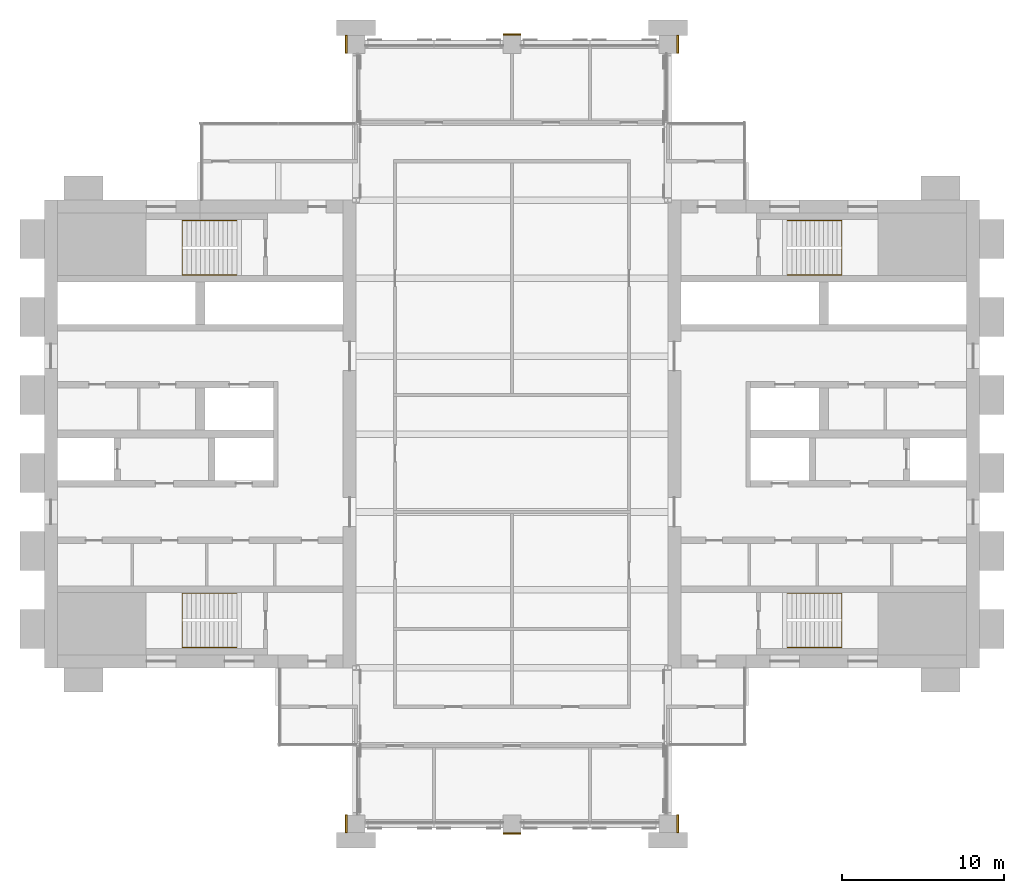
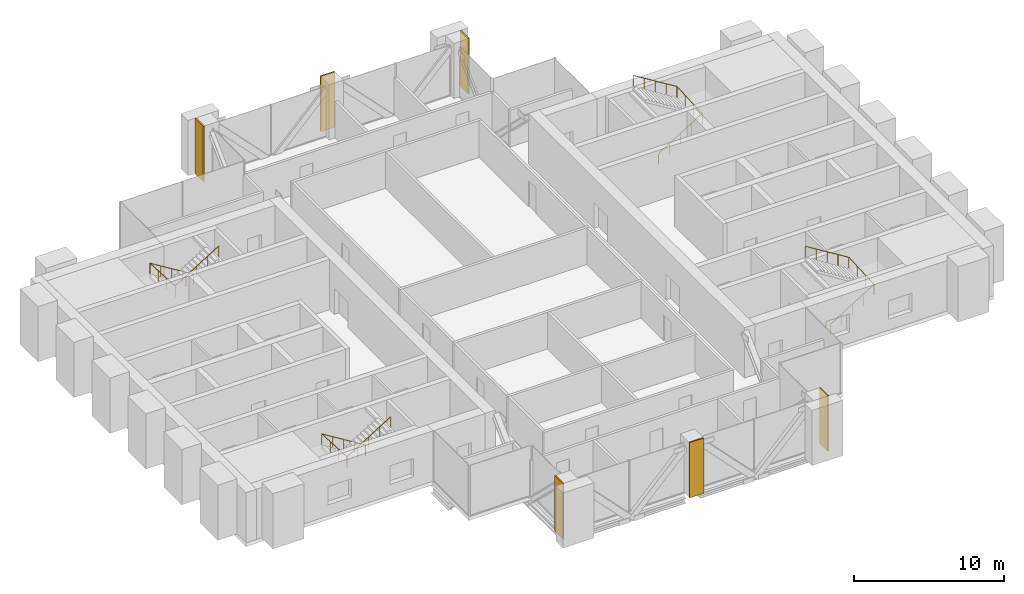
# One storey, part 13 of 13: 6 coverings, 4 railings.
"""IFC4 building model written with IfcOpenShell, lengths in metres."""

from ifc_helpers import new_model, si_unit, direction, frame, origin, origin_2d, place, context, subcontext, project, spatial, rectangle, circle, extrude, material, layer, layer_set, type_object, element, save


model = new_model("IFC4")

# Units and contexts
model_context = context("Model", 3, precision=1e-05, world=origin(), true_north=direction((0.0, 1.0)))
body_context = subcontext(model_context, "Body", "Model", "MODEL_VIEW")
ifc_project = project(units=[si_unit("LENGTHUNIT", "METRE"), si_unit("AREAUNIT", "SQUARE_METRE"), si_unit("VOLUMEUNIT", "CUBIC_METRE"), si_unit("PLANEANGLEUNIT", "RADIAN"), si_unit("MASSUNIT", "GRAM", prefix="KILO")], contexts=[model_context])

# Site, building, storey
site_placement = place(None, origin())
site = spatial("IfcSite", under=ifc_project, at=site_placement, CompositionType="ELEMENT")
building_placement = place(site_placement, origin())
building = spatial("IfcBuilding", under=site, at=building_placement, Name="Baori Bourse Tower", CompositionType="ELEMENT")
storey_placement = place(building_placement, frame((0.0, 0.0, 265.199951171875)))
storey = spatial("IfcBuildingStorey", under=building, at=storey_placement, Name="L59", CompositionType="ELEMENT", Elevation=265.199951171875)

# Railings
ifc_material_1 = material(Name="Powder-coated steel balustrade", Category="steel")
railing_type = type_object("IfcRailingType", Name="Core stair handrail", PredefinedType="HANDRAIL", material=ifc_material_1)
railing_1_placement = place(storey_placement, frame((11.85009765625, 14.199951171875, 0.173095703125)))
element("IfcRailing", 1, at=railing_1_placement, inside=storey, type_object=railing_type, Name="L59 ST1 stair handrail 1", PredefinedType="HANDRAIL", context=body_context, shape_type="SweptSolid", body=[
    extrude(circle(Radius=0.02392578125, at=origin_2d()), frame((0.0, 0.0, 0.8759765625), z_axis=(-0.850623216509, 0.0, 0.525775754039), x_axis=(0.0, -1.0, 0.0)), (0.0, 0.0, 1.0), 3.9501953125),
    extrude(circle(Radius=0.02392578125, at=origin_2d()), frame((-3.360107421875, 0.0, 2.95263671875), z_axis=(0.0, -0.998667637765, 0.051603771968), x_axis=(1.0, 0.0, 0.0)), (0.0, 0.0, 1.0), 3.354248046875),
    extrude(circle(Radius=0.02392578125, at=origin_2d()), frame((-3.360107421875, -3.349853515625, 3.1259765625), z_axis=(0.850623216509, 0.0, 0.525775754039), x_axis=(0.0, 1.0, 0.0)), (0.0, 0.0, 1.0), 3.9501953125),
    extrude(circle(Radius=0.02099609375, at=origin_2d()), origin(), (0.0, 0.0, 1.0), 0.851806640625),
    extrude(circle(Radius=0.02099609375, at=origin_2d()), frame((-0.840087890625, 0.0, 0.519287109375)), (0.0, 0.0, 1.0), 0.851806640625),
    extrude(circle(Radius=0.02099609375, at=origin_2d()), frame((-1.68017578125, 0.0, 1.03857421875)), (0.0, 0.0, 1.0), 0.851806640625),
    extrude(circle(Radius=0.02099609375, at=origin_2d()), frame((-2.52001953125, 0.0, 1.5576171875)), (0.0, 0.0, 1.0), 0.851806640625),
    extrude(circle(Radius=0.02099609375, at=origin_2d()), frame((-3.360107421875, 0.0, 2.076904296875)), (0.0, 0.0, 1.0), 0.851806640625),
    extrude(circle(Radius=0.02099609375, at=origin_2d()), frame((-3.360107421875, -1.11669921875, 2.134521484375)), (0.0, 0.0, 1.0), 0.851806640625),
    extrude(circle(Radius=0.02099609375, at=origin_2d()), frame((-3.360107421875, -2.233154296875, 2.1923828125)), (0.0, 0.0, 1.0), 0.851806640625),
    extrude(circle(Radius=0.02099609375, at=origin_2d()), frame((-3.360107421875, -3.349853515625, 2.25)), (0.0, 0.0, 1.0), 0.851806640625),
    extrude(circle(Radius=0.02099609375, at=origin_2d()), frame((-2.52001953125, -3.349853515625, 2.769287109375)), (0.0, 0.0, 1.0), 0.851806640625),
    extrude(circle(Radius=0.02099609375, at=origin_2d()), frame((-1.68017578125, -3.349853515625, 3.28857421875)), (0.0, 0.0, 1.0), 0.851806640625),
    extrude(circle(Radius=0.02099609375, at=origin_2d()), frame((-0.840087890625, -3.349853515625, 3.8076171875)), (0.0, 0.0, 1.0), 0.851806640625),
    extrude(circle(Radius=0.02099609375, at=origin_2d()), frame((0.0, -3.349853515625, 4.326904296875)), (0.0, 0.0, 1.0), 0.851806640625),
])
railing_2_placement = place(storey_placement, frame((11.85009765625, 37.14990234375, 0.173095703125)))
element("IfcRailing", 2, at=railing_2_placement, inside=storey, type_object=railing_type, Name="L59 ST2 stair handrail 1", PredefinedType="HANDRAIL", context=body_context, shape_type="SweptSolid", body=[
    extrude(circle(Radius=0.02392578125, at=origin_2d()), frame((0.0, 0.0, 0.8759765625), z_axis=(-0.850623216509, 0.0, 0.525775754039), x_axis=(0.0, -1.0, 0.0)), (0.0, 0.0, 1.0), 3.9501953125),
    extrude(circle(Radius=0.02392578125, at=origin_2d()), frame((-3.360107421875, 0.0, 2.95263671875), z_axis=(0.0, -0.998667637765, 0.051603771968), x_axis=(1.0, 0.0, 0.0)), (0.0, 0.0, 1.0), 3.354248046875),
    extrude(circle(Radius=0.02392578125, at=origin_2d()), frame((-3.360107421875, -3.349853515625, 3.1259765625), z_axis=(0.850623216509, 0.0, 0.525775754039), x_axis=(0.0, 1.0, 0.0)), (0.0, 0.0, 1.0), 3.9501953125),
    extrude(circle(Radius=0.02099609375, at=origin_2d()), origin(), (0.0, 0.0, 1.0), 0.851806640625),
    extrude(circle(Radius=0.02099609375, at=origin_2d()), frame((-0.840087890625, 0.0, 0.519287109375)), (0.0, 0.0, 1.0), 0.851806640625),
    extrude(circle(Radius=0.02099609375, at=origin_2d()), frame((-1.68017578125, 0.0, 1.03857421875)), (0.0, 0.0, 1.0), 0.851806640625),
    extrude(circle(Radius=0.02099609375, at=origin_2d()), frame((-2.52001953125, 0.0, 1.5576171875)), (0.0, 0.0, 1.0), 0.851806640625),
    extrude(circle(Radius=0.02099609375, at=origin_2d()), frame((-3.360107421875, 0.0, 2.076904296875)), (0.0, 0.0, 1.0), 0.851806640625),
    extrude(circle(Radius=0.02099609375, at=origin_2d()), frame((-3.360107421875, -1.11669921875, 2.134521484375)), (0.0, 0.0, 1.0), 0.851806640625),
    extrude(circle(Radius=0.02099609375, at=origin_2d()), frame((-3.360107421875, -2.233154296875, 2.1923828125)), (0.0, 0.0, 1.0), 0.851806640625),
    extrude(circle(Radius=0.02099609375, at=origin_2d()), frame((-3.360107421875, -3.349853515625, 2.25)), (0.0, 0.0, 1.0), 0.851806640625),
    extrude(circle(Radius=0.02099609375, at=origin_2d()), frame((-2.52001953125, -3.349853515625, 2.769287109375)), (0.0, 0.0, 1.0), 0.851806640625),
    extrude(circle(Radius=0.02099609375, at=origin_2d()), frame((-1.68017578125, -3.349853515625, 3.28857421875)), (0.0, 0.0, 1.0), 0.851806640625),
    extrude(circle(Radius=0.02099609375, at=origin_2d()), frame((-0.840087890625, -3.349853515625, 3.8076171875)), (0.0, 0.0, 1.0), 0.851806640625),
    extrude(circle(Radius=0.02099609375, at=origin_2d()), frame((0.0, -3.349853515625, 4.326904296875)), (0.0, 0.0, 1.0), 0.851806640625),
])
railing_3_placement = place(storey_placement, frame((45.75, 10.85009765625, 0.173095703125)))
element("IfcRailing", 3, at=railing_3_placement, inside=storey, type_object=railing_type, Name="L59 ST3 stair handrail 1", PredefinedType="HANDRAIL", context=body_context, shape_type="SweptSolid", body=[
    extrude(circle(Radius=0.02392578125, at=origin_2d()), frame((0.0, 0.0, 0.8759765625), z_axis=(0.850623216509, 0.0, 0.525775754039), x_axis=(0.0, 1.0, 0.0)), (0.0, 0.0, 1.0), 3.9501953125),
    extrude(circle(Radius=0.02392578125, at=origin_2d()), frame((3.360107421875, 0.0, 2.95263671875), z_axis=(0.0, 0.998667637765, 0.051603771968), x_axis=(-1.0, 0.0, 0.0)), (0.0, 0.0, 1.0), 3.354248046875),
    extrude(circle(Radius=0.02392578125, at=origin_2d()), frame((3.360107421875, 3.349853515625, 3.1259765625), z_axis=(-0.850623216509, 0.0, 0.525775754039), x_axis=(0.0, -1.0, 0.0)), (0.0, 0.0, 1.0), 3.9501953125),
    extrude(circle(Radius=0.02099609375, at=origin_2d()), origin(), (0.0, 0.0, 1.0), 0.851806640625),
    extrude(circle(Radius=0.02099609375, at=origin_2d()), frame((0.840087890625, 0.0, 0.519287109375)), (0.0, 0.0, 1.0), 0.851806640625),
    extrude(circle(Radius=0.02099609375, at=origin_2d()), frame((1.68017578125, 0.0, 1.03857421875)), (0.0, 0.0, 1.0), 0.851806640625),
    extrude(circle(Radius=0.02099609375, at=origin_2d()), frame((2.52001953125, 0.0, 1.5576171875)), (0.0, 0.0, 1.0), 0.851806640625),
    extrude(circle(Radius=0.02099609375, at=origin_2d()), frame((3.360107421875, 0.0, 2.076904296875)), (0.0, 0.0, 1.0), 0.851806640625),
    extrude(circle(Radius=0.02099609375, at=origin_2d()), frame((3.360107421875, 1.11669921875, 2.134521484375)), (0.0, 0.0, 1.0), 0.851806640625),
    extrude(circle(Radius=0.02099609375, at=origin_2d()), frame((3.360107421875, 2.233154296875, 2.1923828125)), (0.0, 0.0, 1.0), 0.851806640625),
    extrude(circle(Radius=0.02099609375, at=origin_2d()), frame((3.360107421875, 3.349853515625, 2.25)), (0.0, 0.0, 1.0), 0.851806640625),
    extrude(circle(Radius=0.02099609375, at=origin_2d()), frame((2.52001953125, 3.349853515625, 2.769287109375)), (0.0, 0.0, 1.0), 0.851806640625),
    extrude(circle(Radius=0.02099609375, at=origin_2d()), frame((1.68017578125, 3.349853515625, 3.28857421875)), (0.0, 0.0, 1.0), 0.851806640625),
    extrude(circle(Radius=0.02099609375, at=origin_2d()), frame((0.840087890625, 3.349853515625, 3.8076171875)), (0.0, 0.0, 1.0), 0.851806640625),
    extrude(circle(Radius=0.02099609375, at=origin_2d()), frame((0.0, 3.349853515625, 4.326904296875)), (0.0, 0.0, 1.0), 0.851806640625),
])
railing_4_placement = place(storey_placement, frame((45.75, 33.800048828125, 0.173095703125)))
element("IfcRailing", 4, at=railing_4_placement, inside=storey, type_object=railing_type, Name="L59 ST4 stair handrail 1", PredefinedType="HANDRAIL", context=body_context, shape_type="SweptSolid", body=[
    extrude(circle(Radius=0.02392578125, at=origin_2d()), frame((0.0, 0.0, 0.8759765625), z_axis=(0.850623216509, 0.0, 0.525775754039), x_axis=(0.0, 1.0, 0.0)), (0.0, 0.0, 1.0), 3.9501953125),
    extrude(circle(Radius=0.02392578125, at=origin_2d()), frame((3.360107421875, 0.0, 2.95263671875), z_axis=(0.0, 0.998667637765, 0.051603771968), x_axis=(-1.0, 0.0, 0.0)), (0.0, 0.0, 1.0), 3.354248046875),
    extrude(circle(Radius=0.02392578125, at=origin_2d()), frame((3.360107421875, 3.349853515625, 3.1259765625), z_axis=(-0.850623216509, 0.0, 0.525775754039), x_axis=(0.0, -1.0, 0.0)), (0.0, 0.0, 1.0), 3.9501953125),
    extrude(circle(Radius=0.02099609375, at=origin_2d()), origin(), (0.0, 0.0, 1.0), 0.851806640625),
    extrude(circle(Radius=0.02099609375, at=origin_2d()), frame((0.840087890625, 0.0, 0.519287109375)), (0.0, 0.0, 1.0), 0.851806640625),
    extrude(circle(Radius=0.02099609375, at=origin_2d()), frame((1.68017578125, 0.0, 1.03857421875)), (0.0, 0.0, 1.0), 0.851806640625),
    extrude(circle(Radius=0.02099609375, at=origin_2d()), frame((2.52001953125, 0.0, 1.5576171875)), (0.0, 0.0, 1.0), 0.851806640625),
    extrude(circle(Radius=0.02099609375, at=origin_2d()), frame((3.360107421875, 0.0, 2.076904296875)), (0.0, 0.0, 1.0), 0.851806640625),
    extrude(circle(Radius=0.02099609375, at=origin_2d()), frame((3.360107421875, 1.11669921875, 2.134521484375)), (0.0, 0.0, 1.0), 0.851806640625),
    extrude(circle(Radius=0.02099609375, at=origin_2d()), frame((3.360107421875, 2.233154296875, 2.1923828125)), (0.0, 0.0, 1.0), 0.851806640625),
    extrude(circle(Radius=0.02099609375, at=origin_2d()), frame((3.360107421875, 3.349853515625, 2.25)), (0.0, 0.0, 1.0), 0.851806640625),
    extrude(circle(Radius=0.02099609375, at=origin_2d()), frame((2.52001953125, 3.349853515625, 2.769287109375)), (0.0, 0.0, 1.0), 0.851806640625),
    extrude(circle(Radius=0.02099609375, at=origin_2d()), frame((1.68017578125, 3.349853515625, 3.28857421875)), (0.0, 0.0, 1.0), 0.851806640625),
    extrude(circle(Radius=0.02099609375, at=origin_2d()), frame((0.840087890625, 3.349853515625, 3.8076171875)), (0.0, 0.0, 1.0), 0.851806640625),
    extrude(circle(Radius=0.02099609375, at=origin_2d()), frame((0.0, 3.349853515625, 4.326904296875)), (0.0, 0.0, 1.0), 0.851806640625),
])

# Coverings
ifc_material_2 = material(Name="Face brick", Category="masonry")
ifc_layer = layer(ifc_material_2, 0.110107421875)
ifc_layer_set = layer_set([ifc_layer], Name="PC1 Brick pier facing")
covering_type = type_object("IfcCoveringType", Name="PC1 Brick pier facing", PredefinedType="CLADDING", material=ifc_layer_set)
covering_1_placement = place(storey_placement, frame((18.594970703125, 0.0, 0.0), z_axis=(0.0, 0.0, 1.0), x_axis=(1.0, 0.0, 0.0)))
element("IfcCovering", 5, at=covering_1_placement, inside=storey, type_object=covering_type, Name="Brick pier facing L59 1", PredefinedType="CLADDING", context=body_context, shape_type="SweptSolid", body=[
    extrude(rectangle(XDim=0.110107421875, YDim=1.10009765625, at=origin_2d()), origin(), (0.0, 0.0, 1.0), 4.5),
])
covering_2_placement = place(storey_placement, frame((28.800048828125, -0.60498046875, 0.0), z_axis=(0.0, 0.0, 1.0), x_axis=(1.0, 0.0, 0.0)))
element("IfcCovering", 6, at=covering_2_placement, inside=storey, type_object=covering_type, Name="Brick pier facing L59 2", PredefinedType="CLADDING", context=body_context, shape_type="SweptSolid", body=[
    extrude(rectangle(XDim=1.10009765625, YDim=0.110107421875, at=origin_2d()), origin(), (0.0, 0.0, 1.0), 4.5),
])
for number, where, z_axis, x_axis, name in (
    (7, (39.0048828125, 0.0, 0.0), (0.0, 0.0, 1.0), (1.0, 0.0, 0.0), "Brick pier facing L59 3"),
    (8, (18.594970703125, 48.0, 0.0), (0.0, 0.0, 1.0), (1.0, 0.0, 0.0), "Brick pier facing L59 4"),
):
    element("IfcCovering", number, at=place(storey_placement, frame(where, z_axis=z_axis, x_axis=x_axis)), inside=storey, type_object=covering_type, Name=name, PredefinedType="CLADDING", context=body_context, shape_type="SweptSolid", body=[
        extrude(rectangle(XDim=0.110107421875, YDim=1.10009765625, at=origin_2d()), origin(), (0.0, 0.0, 1.0), 4.5),
    ])
covering_3_placement = place(storey_placement, frame((28.800048828125, 48.60498046875, 0.0), z_axis=(0.0, 0.0, 1.0), x_axis=(1.0, 0.0, 0.0)))
element("IfcCovering", 9, at=covering_3_placement, inside=storey, type_object=covering_type, Name="Brick pier facing L59 5", PredefinedType="CLADDING", context=body_context, shape_type="SweptSolid", body=[
    extrude(rectangle(XDim=1.10009765625, YDim=0.110107421875, at=origin_2d()), origin(), (0.0, 0.0, 1.0), 4.5),
])
covering_4_placement = place(storey_placement, frame((39.0048828125, 48.0, 0.0), z_axis=(0.0, 0.0, 1.0), x_axis=(1.0, 0.0, 0.0)))
element("IfcCovering", 10, at=covering_4_placement, inside=storey, type_object=covering_type, Name="Brick pier facing L59 6", PredefinedType="CLADDING", context=body_context, shape_type="SweptSolid", body=[
    extrude(rectangle(XDim=0.110107421875, YDim=1.10009765625, at=origin_2d()), origin(), (0.0, 0.0, 1.0), 4.5),
])

save(model, "model.ifc")
